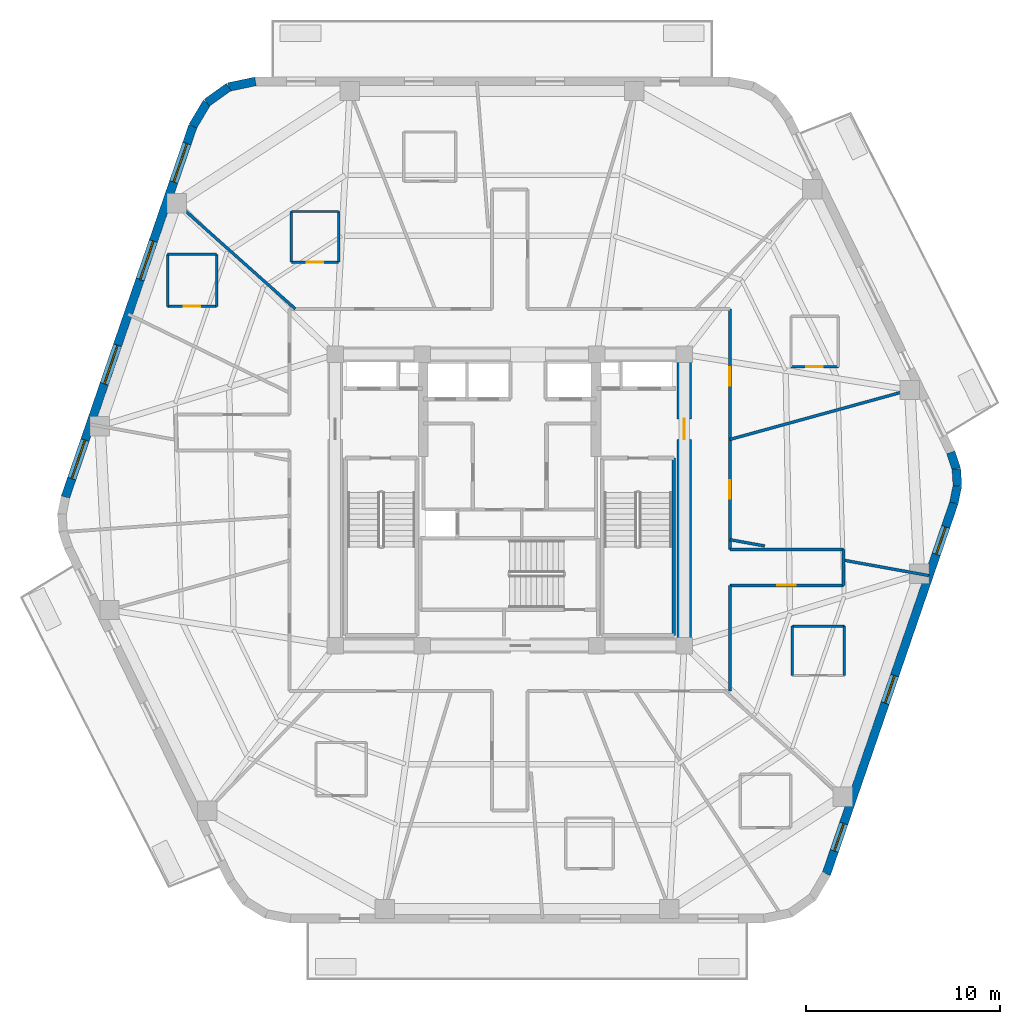
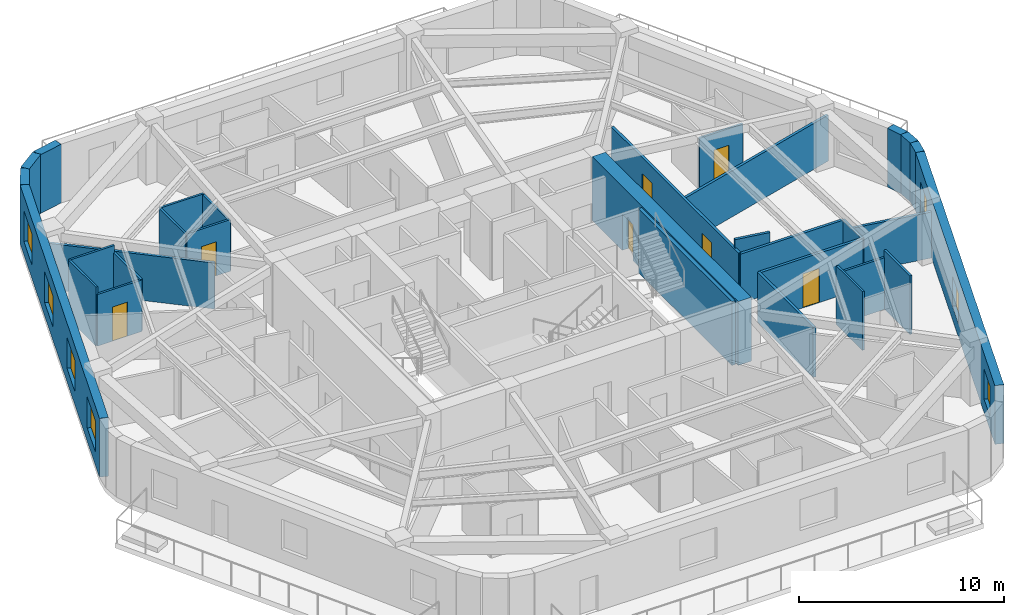
# One storey, part 5 of 10: 31 walls, 7 doors, 7 windows, 14 openings.
"""IFC4 building model written with IfcOpenShell, lengths in metres."""

import ifcopenshell
import ifcopenshell.guid

model = None  # the IFC model being written
_history = None  # IfcOwnerHistory: only IFC2X3 demands one
_inside = {}  # id of a spatial element -> (the spatial element, [elements in it])
_under = {}  # id of a project, library or spatial element -> (it, [spatial elements below it])
_declared = {}  # id of a project -> (the project, [libraries it declares])
_typed = {}  # id of a type object -> (the type object, [elements of that type])
_made_of = {}  # id of a material, layer set ... -> (it, [elements and type objects made of it])


def new_model(schema):
    """Start an empty IFC model of exactly this schema.

    Asked for "IFC4X3", IfcOpenShell would pick the latest addendum, in which some entities
    have other attributes; the version numbers below select the first issue.
    IFC2X3 requires an IfcOwnerHistory on every rooted entity: one is made here for all.
    """
    global model, _history
    if schema == "IFC4X3":
        model = ifcopenshell.file(schema_version=(4, 3, 0, 0))
    else:
        model = ifcopenshell.file(schema=schema)
    _inside.clear()
    _under.clear()
    _declared.clear()
    _typed.clear()
    _made_of.clear()
    _history = None
    if model.schema == "IFC2X3":
        org = make("IfcOrganization", Name="unknown")
        user = make(
            "IfcPersonAndOrganization",
            ThePerson=make("IfcPerson", FamilyName="unknown"),
            TheOrganization=org,
        )
        app = make(
            "IfcApplication",
            ApplicationDeveloper=org,
            Version="unknown",
            ApplicationFullName="unknown",
            ApplicationIdentifier="unknown",
        )
        _history = make(
            "IfcOwnerHistory",
            OwningUser=user,
            OwningApplication=app,
            ChangeAction="ADDED",
            CreationDate=0,
        )
    return model


def make(cls, **values):
    """One entity of the class cls with the attributes given. An attribute that is None is left unset."""
    return model.create_entity(
        cls, **{name: value for name, value in values.items() if value is not None}
    )


def rooted(cls, **values):
    """An entity with a GlobalId (a new one), such as an element, a storey or a relation."""
    return make(cls, GlobalId=ifcopenshell.guid.new(), OwnerHistory=_history, **values)


def si_unit(unit_type, name, prefix=None):
    """IfcSIUnit, for example si_unit("LENGTHUNIT", "METRE", prefix="MILLI")."""
    return make("IfcSIUnit", UnitType=unit_type, Prefix=prefix, Name=name)


def assignment(units):
    """IfcUnitAssignment: the units of a project."""
    return None if units is None else make("IfcUnitAssignment", Units=units)


def point(xyz):
    """IfcCartesianPoint."""
    return None if xyz is None else make("IfcCartesianPoint", Coordinates=xyz)


def direction(xyz):
    """IfcDirection."""
    return None if xyz is None else make("IfcDirection", DirectionRatios=xyz)


def frame(location, z_axis=None, x_axis=None):
    """IfcAxis2Placement3D, a coordinate frame: its origin and axes. An axis left out is left unset."""
    return make(
        "IfcAxis2Placement3D",
        Location=point(location),
        Axis=direction(z_axis),
        RefDirection=direction(x_axis),
    )


def frame_2d(location, x_axis=None):
    """IfcAxis2Placement2D, a coordinate frame in the plane: its origin and x axis."""
    return make(
        "IfcAxis2Placement2D", Location=point(location), RefDirection=direction(x_axis)
    )


def origin():
    """The frame at (0, 0, 0) with its axes left unset."""
    return frame((0.0, 0.0, 0.0))


def place(relative_to, where):
    """IfcLocalPlacement: puts the frame where relative to a parent placement (None: the world)."""
    return make(
        "IfcLocalPlacement", PlacementRelTo=relative_to, RelativePlacement=where
    )


def context(
    kind, dimensions, precision=None, world=None, true_north=None, identifier=None
):
    """IfcGeometricRepresentationContext, for example the 3D "Model" context."""
    return make(
        "IfcGeometricRepresentationContext",
        ContextIdentifier=identifier,
        ContextType=kind,
        CoordinateSpaceDimension=dimensions,
        Precision=precision,
        WorldCoordinateSystem=world,
        TrueNorth=true_north,
    )


def subcontext(parent, identifier, kind, view, scale=None):
    """IfcGeometricRepresentationSubContext, for example "Body" below "Model"."""
    return make(
        "IfcGeometricRepresentationSubContext",
        ContextIdentifier=identifier,
        ContextType=kind,
        ParentContext=parent,
        TargetScale=scale,
        TargetView=view,
    )


def project(units=None, contexts=None):
    """IfcProject with its units and contexts."""
    return rooted(
        "IfcProject",
        Name="project",
        RepresentationContexts=contexts,
        UnitsInContext=assignment(units),
    )


def spatial(cls, under=None, at=None, **own):
    """A site, building, storey or space (cls), placed at a placement, below another one or the project."""
    s = rooted(cls, ObjectPlacement=at, **own)
    if under is not None:
        _under.setdefault(under.id(), (under, []))[1].append(s)
    return s


def profile(cls, at=None, kind="AREA", **sizes):
    """A parametric profile (cls). Its sizes go by their IFC names, for example OverallWidth=200.0."""
    return make(cls, ProfileType=kind, Position=at, **sizes)


def rectangle(**sizes):
    """IfcRectangleProfileDef."""
    return profile("IfcRectangleProfileDef", **sizes)


def extrude(swept, where, along, depth):
    """IfcExtrudedAreaSolid: the profile swept, set in the frame where, extruded along a direction by depth."""
    return make(
        "IfcExtrudedAreaSolid",
        SweptArea=swept,
        Position=where,
        ExtrudedDirection=direction(along),
        Depth=depth,
    )


def shape(context_of_items, identifier, shape_type, items):
    """IfcShapeRepresentation: the items that make up one representation, for example the "Body"."""
    return make(
        "IfcShapeRepresentation",
        ContextOfItems=context_of_items,
        RepresentationIdentifier=identifier,
        RepresentationType=shape_type,
        Items=items,
    )


def material(Name=None, Category=None):
    """IfcMaterial."""
    return make("IfcMaterial", Name=Name, Category=Category)


def layer(
    of_material, thickness, ventilated=None, Name=None, Category=None, Priority=None
):
    """IfcMaterialLayer: one layer of a wall or slab, of a material (None: an air gap)."""
    return make(
        "IfcMaterialLayer",
        Material=of_material,
        LayerThickness=thickness,
        IsVentilated=ventilated,
        Name=Name,
        Category=Category,
        Priority=Priority,
    )


def layer_set(layers, Name=None):
    """IfcMaterialLayerSet."""
    return make("IfcMaterialLayerSet", MaterialLayers=layers, LayerSetName=Name)


def made_of(thing, what):
    """Note that an element or type object is made of a material, layer set ...; save() writes the relation."""
    if what is not None:
        _made_of.setdefault(what.id(), (what, []))[1].append(thing)
    return thing


def type_object(cls, material=None, **own):
    """A type object (cls), such as IfcWallType, which elements share."""
    return made_of(rooted(cls, **own), material)


def element(
    cls,
    number,
    at=None,
    inside=None,
    cuts=None,
    type_object=None,
    material=None,
    context=None,
    identifier="Body",
    shape_type=None,
    held_by="IfcProductDefinitionShape",
    body=None,
    shapes=None,
    **own,
):
    """One element of the class cls, such as IfcWall. Its Tag is "e" and its number.

    at: its placement. inside: the storey or other place that contains it. cuts: it is an
    opening in that element (IfcRelVoidsElement). A single representation is given by context,
    identifier, shape_type and body (its items); several are given by shapes. held_by: the class
    of the entity that holds the representations. save() writes the other relations.
    """
    e = rooted(cls, Tag="e%d" % number, ObjectPlacement=at, **own)
    if body is not None:
        shapes = [shape(context, identifier, shape_type, body)]
    if shapes is not None:
        e.Representation = make(held_by, Representations=shapes)
    if inside is not None:
        _inside.setdefault(inside.id(), (inside, []))[1].append(e)
    if cuts is not None:
        rooted(
            "IfcRelVoidsElement", RelatingBuildingElement=cuts, RelatedOpeningElement=e
        )
    if type_object is not None:
        _typed.setdefault(type_object.id(), (type_object, []))[1].append(e)
    return made_of(e, material)


def fill(opening, filler):
    """IfcRelFillsElement: the door or window that sits in an opening."""
    return rooted(
        "IfcRelFillsElement",
        RelatingOpeningElement=opening,
        RelatedBuildingElement=filler,
    )


def aggregate(whole, parts):
    """IfcRelAggregates: a whole, such as a stair, and the parts it consists of."""
    return rooted("IfcRelAggregates", RelatingObject=whole, RelatedObjects=parts)


def save(model, path):
    """Write the relations noted so far, then the file.

    IfcRelAggregates (storeys below a building ...), IfcRelContainedInSpatialStructure (elements
    in a storey), IfcRelDefinesByType, IfcRelAssociatesMaterial and IfcRelDeclares: one each for
    every whole, place, type object, material and project.
    """
    for whole, parts in _under.values():
        aggregate(whole, parts)
    for where, things in _inside.values():
        rooted(
            "IfcRelContainedInSpatialStructure",
            RelatedElements=things,
            RelatingStructure=where,
        )
    for kind, things in _typed.values():
        rooted("IfcRelDefinesByType", RelatedObjects=things, RelatingType=kind)
    for what, things in _made_of.values():
        rooted("IfcRelAssociatesMaterial", RelatedObjects=things, RelatingMaterial=what)
    for by, libraries in _declared.values():
        rooted("IfcRelDeclares", RelatingContext=by, RelatedDefinitions=libraries)
    model.write(path)


model = new_model("IFC4")

# Units and contexts
model_context = context("Model", 3, precision=1e-05, world=origin(), true_north=direction((0.0, 1.0)))
body_context = subcontext(model_context, "Body", "Model", "MODEL_VIEW")
ifc_project = project(units=[si_unit("LENGTHUNIT", "METRE"), si_unit("AREAUNIT", "SQUARE_METRE"), si_unit("VOLUMEUNIT", "CUBIC_METRE"), si_unit("PLANEANGLEUNIT", "RADIAN"), si_unit("MASSUNIT", "GRAM", prefix="KILO")], contexts=[model_context])

# Site, building, storey
site_placement = place(None, origin())
site = spatial("IfcSite", under=ifc_project, at=site_placement, CompositionType="ELEMENT")
building_placement = place(site_placement, origin())
building = spatial("IfcBuilding", under=site, at=building_placement, Name="Kilnhurst Terrace Hotel", CompositionType="ELEMENT")
storey_placement = place(building_placement, frame((0.0, 0.0, 217.89990234375)))
storey = spatial("IfcBuildingStorey", under=building, at=storey_placement, Name="L54", CompositionType="ELEMENT", Elevation=217.89990234375)

# Walls
ifc_material_1 = material(Name="Precast concrete C40/50", Category="concrete")
ifc_layer_1 = layer(ifc_material_1, 0.449951171875, Name="Precast concrete C40/50")
ifc_layer_set_1 = layer_set([ifc_layer_1], Name="Precast concrete C40/50")
wall_type_1 = type_object("IfcWallType", Name="WL-BRK-450", PredefinedType="SOLIDWALL", material=ifc_layer_set_1)
wall_1_placement = place(storey_placement, frame((22.8984375, -0.149658203125, 0.0), z_axis=(0.0, 0.0, 1.0), x_axis=(0.199055826889, 0.979988151858, 0.0)))
element("IfcWall", 1, at=wall_1_placement, inside=storey, type_object=wall_type_1, Name="L54 Rounded Corner Brick Wall C3.1", PredefinedType="SOLIDWALL", context=body_context, shape_type="SweptSolid", body=[
    extrude(rectangle(XDim=0.89404296875, YDim=0.449951171875, at=frame_2d((0.447021484375, 0.0))), origin(), (0.0, 0.0, 1.0), 3.5),
])
wall_2_placement = place(storey_placement, frame((23.076416015625, 0.7265625, 0.0), z_axis=(0.0, 0.0, 1.0), x_axis=(-0.060805222108, 0.998149650586, 0.0)))
element("IfcWall", 2, at=wall_2_placement, inside=storey, type_object=wall_type_1, Name="L54 Rounded Corner Brick Wall C3.2", PredefinedType="SOLIDWALL", context=body_context, shape_type="SweptSolid", body=[
    extrude(rectangle(XDim=0.87939453125, YDim=0.449951171875, at=frame_2d((0.439697265625, 0.0))), origin(), (0.0, 0.0, 1.0), 3.5),
])
wall_3_placement = place(storey_placement, frame((23.02294921875, 1.604248046875, 0.0), z_axis=(0.0, 0.0, 1.0), x_axis=(-0.316801227695, 0.948491951537, 0.0)))
element("IfcWall", 3, at=wall_3_placement, inside=storey, type_object=wall_type_1, Name="L54 Rounded Corner Brick Wall C3.3", PredefinedType="SOLIDWALL", context=body_context, shape_type="SweptSolid", body=[
    extrude(rectangle(XDim=0.89404296875, YDim=0.449951171875, at=frame_2d((0.447021484375, 0.0))), origin(), (0.0, 0.0, 1.0), 3.5),
])
wall_4_placement = place(storey_placement, frame((-13.1015625, 21.574951171875, 0.0), z_axis=(0.0, 0.0, 1.0), x_axis=(-0.978757421505, -0.205021730188, 0.0)))
element("IfcWall", 4, at=wall_4_placement, inside=storey, type_object=wall_type_1, Name="L54 Rounded Corner Brick Wall C5.1", PredefinedType="SOLIDWALL", context=body_context, shape_type="SweptSolid", body=[
    extrude(rectangle(XDim=1.40625, YDim=0.449951171875, at=frame_2d((0.703125, 0.0))), origin(), (0.0, 0.0, 1.0), 3.5),
])
wall_5_placement = place(storey_placement, frame((-14.47802734375, 21.28662109375, 0.0), z_axis=(0.0, 0.0, 1.0), x_axis=(-0.813888518617, -0.58102106611, 0.0)))
element("IfcWall", 5, at=wall_5_placement, inside=storey, type_object=wall_type_1, Name="L54 Rounded Corner Brick Wall C5.2", PredefinedType="SOLIDWALL", context=body_context, shape_type="SweptSolid", body=[
    extrude(rectangle(XDim=1.3828125, YDim=0.449951171875, at=frame_2d((0.69140625, 0.0))), origin(), (0.0, 0.0, 1.0), 3.5),
])
wall_6_placement = place(storey_placement, frame((-15.603515625, 20.483154296875, 0.0), z_axis=(0.0, 0.0, 1.0), x_axis=(-0.512222149036, -0.858852996756, 0.0)))
element("IfcWall", 6, at=wall_6_placement, inside=storey, type_object=wall_type_1, Name="L54 Rounded Corner Brick Wall C5.3", PredefinedType="SOLIDWALL", context=body_context, shape_type="SweptSolid", body=[
    extrude(rectangle(XDim=1.406494140625, YDim=0.449951171875, at=frame_2d((0.703125, 0.0))), origin(), (0.0, 0.0, 1.0), 3.5),
])

# Wall, openings, windows
wall_7_placement = place(storey_placement, frame((16.323974609375, -19.275146484375, 0.0), z_axis=(0.0, 0.0, 1.0), x_axis=(0.325083142304, 0.945685439557, 0.0)))
wall_7 = element("IfcWall", 7, at=wall_7_placement, inside=storey, type_object=wall_type_1, Name="L54 Exterior Brick Facade Wall F2", PredefinedType="SOLIDWALL", context=body_context, shape_type="SweptSolid", body=[
    extrude(rectangle(XDim=20.223876953125, YDim=0.449951171875, at=frame_2d((10.11181640625, 0.0))), origin(), (0.0, 0.0, 1.0), 3.5),
])
opening_1_placement = place(wall_7_placement, frame((1.2529296875, 0.0, 0.800048828125)))
opening_1 = element("IfcOpeningElement", 8, at=opening_1_placement, cuts=wall_7, Name="Opening W-02", PredefinedType="OPENING", context=body_context, shape_type="SweptSolid", body=[
    extrude(rectangle(XDim=1.5, YDim=1.800048828125, at=frame_2d((0.75, 0.89990234375))), frame((0.0, 0.23486328125, 0.0), z_axis=(0.0, -1.0, 0.0), x_axis=(1.0, 0.0, 0.0)), (0.0, 0.0, 1.0), 0.469970703125),
])
opening_2_placement = place(wall_7_placement, frame((9.30908203125, 0.0, 0.800048828125)))
opening_2 = element("IfcOpeningElement", 9, at=opening_2_placement, cuts=wall_7, Name="Opening W-02", PredefinedType="OPENING", context=body_context, shape_type="SweptSolid", body=[
    extrude(rectangle(XDim=1.5, YDim=1.800048828125, at=frame_2d((0.75, 0.89990234375))), frame((0.0, 0.23486328125, 0.0), z_axis=(0.0, -1.0, 0.0), x_axis=(1.0, 0.0, 0.0)), (0.0, 0.0, 1.0), 0.469970703125),
])
opening_3_placement = place(wall_7_placement, frame((17.41796875, 0.0, 0.800048828125)))
opening_3 = element("IfcOpeningElement", 10, at=opening_3_placement, cuts=wall_7, Name="Opening W-02", PredefinedType="OPENING", context=body_context, shape_type="SweptSolid", body=[
    extrude(rectangle(XDim=1.5, YDim=1.800048828125, at=frame_2d((0.75, 0.89990234375))), frame((0.0, 0.23486328125, 0.0), z_axis=(0.0, -1.0, 0.0), x_axis=(1.0, 0.0, 0.0)), (0.0, 0.0, 1.0), 0.469970703125),
])
ifc_material_2 = material(Name="Thermally Broken Bronze Aluminium Alloy 6063-T6 and Low-E Glass", Category="aluminium")
window_type_1 = type_object("IfcWindowType", Name="WIN-1500X1800", PartitioningType="SINGLE_PANEL", PredefinedType="WINDOW", material=ifc_material_2)
window_1_placement = place(opening_1_placement, origin())
window_1 = element("IfcWindow", 11, at=window_1_placement, inside=storey, type_object=window_type_1, Name="L54 Deep-Set Masonry Window F2.1", OverallHeight=1.800048828125, OverallWidth=1.5, PartitioningType="SINGLE_PANEL", PredefinedType="WINDOW", context=body_context, shape_type="SweptSolid", body=[
    extrude(rectangle(XDim=1.5, YDim=1.800048828125, at=frame_2d((0.75, 0.89990234375))), frame((0.0, 0.030029296875, 0.0), z_axis=(0.0, -1.0, 0.0), x_axis=(1.0, 0.0, 0.0)), (0.0, 0.0, 1.0), 0.06005859375),
])
fill(opening_1, window_1)
window_2_placement = place(opening_2_placement, origin())
window_2 = element("IfcWindow", 12, at=window_2_placement, inside=storey, type_object=window_type_1, Name="L54 Deep-Set Masonry Window F2.2", OverallHeight=1.800048828125, OverallWidth=1.5, PartitioningType="SINGLE_PANEL", PredefinedType="WINDOW", context=body_context, shape_type="SweptSolid", body=[
    extrude(rectangle(XDim=1.5, YDim=1.800048828125, at=frame_2d((0.75, 0.89990234375))), frame((0.0, 0.030029296875, 0.0), z_axis=(0.0, -1.0, 0.0), x_axis=(1.0, 0.0, 0.0)), (0.0, 0.0, 1.0), 0.06005859375),
])
fill(opening_2, window_2)
window_3_placement = place(opening_3_placement, origin())
window_3 = element("IfcWindow", 13, at=window_3_placement, inside=storey, type_object=window_type_1, Name="L54 Deep-Set Masonry Window F2.3", OverallHeight=1.800048828125, OverallWidth=1.5, PartitioningType="SINGLE_PANEL", PredefinedType="WINDOW", context=body_context, shape_type="SweptSolid", body=[
    extrude(rectangle(XDim=1.5, YDim=1.800048828125, at=frame_2d((0.75, 0.89990234375))), frame((0.0, 0.030029296875, 0.0), z_axis=(0.0, -1.0, 0.0), x_axis=(1.0, 0.0, 0.0)), (0.0, 0.0, 1.0), 0.06005859375),
])
fill(opening_3, window_3)

wall_8_placement = place(storey_placement, frame((-16.323974609375, 19.275146484375, 0.0), z_axis=(0.0, 0.0, 1.0), x_axis=(-0.325083142304, -0.945685439557, 0.0)))
wall_8 = element("IfcWall", 14, at=wall_8_placement, inside=storey, type_object=wall_type_1, Name="L54 Exterior Brick Facade Wall F5", PredefinedType="SOLIDWALL", context=body_context, shape_type="SweptSolid", body=[
    extrude(rectangle(XDim=20.223876953125, YDim=0.449951171875, at=frame_2d((10.11181640625, 0.0))), origin(), (0.0, 0.0, 1.0), 3.5),
])
opening_4_placement = place(wall_8_placement, frame((0.952880859375, 0.0, 0.800048828125)))
opening_4 = element("IfcOpeningElement", 15, at=opening_4_placement, cuts=wall_8, Name="Opening W-04", PredefinedType="OPENING", context=body_context, shape_type="SweptSolid", body=[
    extrude(rectangle(XDim=2.10009765625, YDim=1.85009765625, at=frame_2d((1.050048828125, 0.925048828125))), frame((0.0, 0.23486328125, 0.0), z_axis=(0.0, -1.0, 0.0), x_axis=(1.0, 0.0, 0.0)), (0.0, 0.0, 1.0), 0.469970703125),
])
opening_5_placement = place(wall_8_placement, frame((6.26806640625, 0.0, 0.800048828125)))
opening_5 = element("IfcOpeningElement", 16, at=opening_5_placement, cuts=wall_8, Name="Opening W-04", PredefinedType="OPENING", context=body_context, shape_type="SweptSolid", body=[
    extrude(rectangle(XDim=2.10009765625, YDim=1.85009765625, at=frame_2d((1.050048828125, 0.925048828125))), frame((0.0, 0.23486328125, 0.0), z_axis=(0.0, -1.0, 0.0), x_axis=(1.0, 0.0, 0.0)), (0.0, 0.0, 1.0), 0.469970703125),
])
opening_6_placement = place(wall_8_placement, frame((11.949951171875, 0.0, 0.800048828125)))
opening_6 = element("IfcOpeningElement", 17, at=opening_6_placement, cuts=wall_8, Name="Opening W-04", PredefinedType="OPENING", context=body_context, shape_type="SweptSolid", body=[
    extrude(rectangle(XDim=2.10009765625, YDim=1.85009765625, at=frame_2d((1.050048828125, 0.925048828125))), frame((0.0, 0.23486328125, 0.0), z_axis=(0.0, -1.0, 0.0), x_axis=(1.0, 0.0, 0.0)), (0.0, 0.0, 1.0), 0.469970703125),
])
opening_7_placement = place(wall_8_placement, frame((17.117919921875, 0.0, 0.800048828125)))
opening_7 = element("IfcOpeningElement", 18, at=opening_7_placement, cuts=wall_8, Name="Opening W-04", PredefinedType="OPENING", context=body_context, shape_type="SweptSolid", body=[
    extrude(rectangle(XDim=2.10009765625, YDim=1.85009765625, at=frame_2d((1.050048828125, 0.925048828125))), frame((0.0, 0.23486328125, 0.0), z_axis=(0.0, -1.0, 0.0), x_axis=(1.0, 0.0, 0.0)), (0.0, 0.0, 1.0), 0.469970703125),
])
window_type_2 = type_object("IfcWindowType", Name="WIN-2100X1850", PartitioningType="SINGLE_PANEL", PredefinedType="WINDOW", material=ifc_material_2)
window_4_placement = place(opening_4_placement, origin())
window_4 = element("IfcWindow", 19, at=window_4_placement, inside=storey, type_object=window_type_2, Name="L54 Deep-Set Masonry Window F5.1", OverallHeight=1.85009765625, OverallWidth=2.10009765625, PartitioningType="SINGLE_PANEL", PredefinedType="WINDOW", context=body_context, shape_type="SweptSolid", body=[
    extrude(rectangle(XDim=2.10009765625, YDim=1.85009765625, at=frame_2d((1.050048828125, 0.925048828125))), frame((0.0, 0.030029296875, 0.0), z_axis=(0.0, -1.0, 0.0), x_axis=(1.0, 0.0, 0.0)), (0.0, 0.0, 1.0), 0.06005859375),
])
fill(opening_4, window_4)
window_5_placement = place(opening_5_placement, origin())
window_5 = element("IfcWindow", 20, at=window_5_placement, inside=storey, type_object=window_type_2, Name="L54 Deep-Set Masonry Window F5.2", OverallHeight=1.85009765625, OverallWidth=2.10009765625, PartitioningType="SINGLE_PANEL", PredefinedType="WINDOW", context=body_context, shape_type="SweptSolid", body=[
    extrude(rectangle(XDim=2.10009765625, YDim=1.85009765625, at=frame_2d((1.050048828125, 0.925048828125))), frame((0.0, 0.030029296875, 0.0), z_axis=(0.0, -1.0, 0.0), x_axis=(1.0, 0.0, 0.0)), (0.0, 0.0, 1.0), 0.06005859375),
])
fill(opening_5, window_5)
window_6_placement = place(opening_6_placement, origin())
window_6 = element("IfcWindow", 21, at=window_6_placement, inside=storey, type_object=window_type_2, Name="L54 Deep-Set Masonry Window F5.3", OverallHeight=1.85009765625, OverallWidth=2.10009765625, PartitioningType="SINGLE_PANEL", PredefinedType="WINDOW", context=body_context, shape_type="SweptSolid", body=[
    extrude(rectangle(XDim=2.10009765625, YDim=1.85009765625, at=frame_2d((1.050048828125, 0.925048828125))), frame((0.0, 0.030029296875, 0.0), z_axis=(0.0, -1.0, 0.0), x_axis=(1.0, 0.0, 0.0)), (0.0, 0.0, 1.0), 0.06005859375),
])
fill(opening_6, window_6)
window_7_placement = place(opening_7_placement, origin())
window_7 = element("IfcWindow", 22, at=window_7_placement, inside=storey, type_object=window_type_2, Name="L54 Deep-Set Masonry Window F5.4", OverallHeight=1.85009765625, OverallWidth=2.10009765625, PartitioningType="SINGLE_PANEL", PredefinedType="WINDOW", context=body_context, shape_type="SweptSolid", body=[
    extrude(rectangle(XDim=2.10009765625, YDim=1.85009765625, at=frame_2d((1.050048828125, 0.925048828125))), frame((0.0, 0.030029296875, 0.0), z_axis=(0.0, -1.0, 0.0), x_axis=(1.0, 0.0, 0.0)), (0.0, 0.0, 1.0), 0.06005859375),
])
fill(opening_7, window_7)

# Wall, openings, doors
ifc_material_3 = material(Name="Acoustic Double-Gypsum Corridor Partition Assembly")
ifc_layer_2 = layer(ifc_material_3, 0.14990234375, Name="Acoustic Double-Gypsum Corridor Partition Assembly")
ifc_layer_set_2 = layer_set([ifc_layer_2], Name="Acoustic Double-Gypsum Corridor Partition Assembly")
wall_type_2 = type_object("IfcWallType", Name="WL-COR-150", PredefinedType="PARTITIONING", material=ifc_layer_set_2)
wall_9_placement = place(storey_placement, frame((11.35009765625, 9.85009765625, 0.0), z_axis=(0.0, 0.0, 1.0), x_axis=(0.0, -1.0, 0.0)))
wall_9 = element("IfcWall", 23, at=wall_9_placement, inside=storey, type_object=wall_type_2, Name="L54 Interior Wall WL-L54-COR-11", PredefinedType="PARTITIONING", context=body_context, shape_type="SweptSolid", body=[
    extrude(rectangle(XDim=12.400146484375, YDim=0.14990234375, at=frame_2d((6.2001953125, 0.0))), origin(), (0.0, 0.0, 1.0), 2.989990234375),
])
opening_8_placement = place(wall_9_placement, frame((3.010009765625, 0.0, 0.0)))
opening_8 = element("IfcOpeningElement", 24, at=opening_8_placement, cuts=wall_9, Name="Opening D-60B", PredefinedType="OPENING", context=body_context, shape_type="SweptSolid", body=[
    extrude(rectangle(XDim=0.949951171875, YDim=2.030029296875, at=frame_2d((0.47509765625, 1.01513671875))), frame((0.0, 0.0849609375, 0.0), z_axis=(0.0, -1.0, 0.0), x_axis=(1.0, 0.0, 0.0)), (0.0, 0.0, 1.0), 0.169921875),
])
opening_9_placement = place(wall_9_placement, frame((8.8349609375, 0.0, 0.0)))
opening_9 = element("IfcOpeningElement", 25, at=opening_9_placement, cuts=wall_9, Name="Opening D-60B", PredefinedType="OPENING", context=body_context, shape_type="SweptSolid", body=[
    extrude(rectangle(XDim=0.949951171875, YDim=2.030029296875, at=frame_2d((0.47509765625, 1.01513671875))), frame((0.0, 0.0849609375, 0.0), z_axis=(0.0, -1.0, 0.0), x_axis=(1.0, 0.0, 0.0)), (0.0, 0.0, 1.0), 0.169921875),
])
ifc_material_4 = material(Name="Acoustic Walnut Veneer Solid-Core Fire Door")
door_type_1 = type_object("IfcDoorType", Name="DR-FD60-950", OperationType="NOTDEFINED", PredefinedType="DOOR", material=ifc_material_4)
door_1_placement = place(opening_8_placement, origin())
door_1 = element("IfcDoor", 26, at=door_1_placement, inside=storey, type_object=door_type_1, Name="L54 Executive Suite Entry Door 1", OperationType="SINGLE_SWING_LEFT", OverallHeight=2.030029296875, OverallWidth=0.949951171875, PredefinedType="DOOR", context=body_context, shape_type="SweptSolid", body=[
    extrude(rectangle(XDim=0.949951171875, YDim=2.030029296875, at=frame_2d((0.47509765625, 1.01513671875))), frame((0.0, 0.02490234375, 0.0), z_axis=(0.0, -1.0, 0.0), x_axis=(1.0, 0.0, 0.0)), (0.0, 0.0, 1.0), 0.050048828125),
])
fill(opening_8, door_1)
door_2_placement = place(opening_9_placement, origin())
door_2 = element("IfcDoor", 27, at=door_2_placement, inside=storey, type_object=door_type_1, Name="L54 Executive Office Door", OperationType="SINGLE_SWING_LEFT", OverallHeight=2.030029296875, OverallWidth=0.949951171875, PredefinedType="DOOR", context=body_context, shape_type="SweptSolid", body=[
    extrude(rectangle(XDim=0.949951171875, YDim=2.030029296875, at=frame_2d((0.47509765625, 1.01513671875))), frame((0.0, 0.02490234375, 0.0), z_axis=(0.0, -1.0, 0.0), x_axis=(1.0, 0.0, 0.0)), (0.0, 0.0, 1.0), 0.050048828125),
])
fill(opening_9, door_2)

# Walls
wall_10_placement = place(storey_placement, frame((11.35009765625, -2.550048828125, 0.0), z_axis=(0.0, 0.0, 1.0), x_axis=(1.0, 0.0, 0.0)))
element("IfcWall", 28, at=wall_10_placement, inside=storey, type_object=wall_type_2, Name="L54 Interior Wall WL-L54-COR-12", PredefinedType="PARTITIONING", context=body_context, shape_type="SweptSolid", body=[
    extrude(rectangle(XDim=5.849853515625, YDim=0.14990234375, at=frame_2d((2.9248046875, 0.0))), origin(), (0.0, 0.0, 1.0), 2.940673828125),
])
wall_11_placement = place(storey_placement, frame((17.199951171875, -2.550048828125, 0.0), z_axis=(0.0, 0.0, 1.0), x_axis=(0.0, -1.0, 0.0)))
element("IfcWall", 29, at=wall_11_placement, inside=storey, type_object=wall_type_2, Name="L54 Interior Wall WL-L54-COR-13", PredefinedType="PARTITIONING", context=body_context, shape_type="SweptSolid", body=[
    extrude(rectangle(XDim=1.849853515625, YDim=0.14990234375, at=frame_2d((0.9248046875, 0.0))), origin(), (0.0, 0.0, 1.0), 2.940673828125),
])

# Wall, opening, door
wall_12_placement = place(storey_placement, frame((17.199951171875, -4.39990234375, 0.0), z_axis=(0.0, 0.0, 1.0), x_axis=(-1.0, 0.0, 0.0)))
wall_12 = element("IfcWall", 30, at=wall_12_placement, inside=storey, type_object=wall_type_2, Name="L54 Interior Wall WL-L54-COR-14", PredefinedType="PARTITIONING", context=body_context, shape_type="SweptSolid", body=[
    extrude(rectangle(XDim=5.849853515625, YDim=0.14990234375, at=frame_2d((2.9248046875, 0.0))), origin(), (0.0, 0.0, 1.0), 2.940673828125),
])
opening_10_placement = place(wall_12_placement, frame((2.449951171875, 0.0, 0.0)))
opening_10 = element("IfcOpeningElement", 31, at=opening_10_placement, cuts=wall_12, Name="Opening D-60B", PredefinedType="OPENING", context=body_context, shape_type="SweptSolid", body=[
    extrude(rectangle(XDim=0.949951171875, YDim=2.030029296875, at=frame_2d((0.47509765625, 1.01513671875))), frame((0.0, 0.0849609375, 0.0), z_axis=(0.0, -1.0, 0.0), x_axis=(1.0, 0.0, 0.0)), (0.0, 0.0, 1.0), 0.169921875),
])
door_3_placement = place(opening_10_placement, origin())
door_3 = element("IfcDoor", 32, at=door_3_placement, inside=storey, type_object=door_type_1, Name="L54 Executive Suite Entry Door 16", OperationType="SINGLE_SWING_RIGHT", OverallHeight=2.030029296875, OverallWidth=0.949951171875, PredefinedType="DOOR", context=body_context, shape_type="SweptSolid", body=[
    extrude(rectangle(XDim=0.949951171875, YDim=2.030029296875, at=frame_2d((0.47509765625, 1.01513671875))), frame((0.0, 0.02490234375, 0.0), z_axis=(0.0, -1.0, 0.0), x_axis=(1.0, 0.0, 0.0)), (0.0, 0.0, 1.0), 0.050048828125),
])
fill(opening_10, door_3)

# Wall
wall_13_placement = place(storey_placement, frame((11.35009765625, -4.39990234375, 0.0), z_axis=(0.0, 0.0, 1.0), x_axis=(0.0, -1.0, 0.0)))
element("IfcWall", 33, at=wall_13_placement, inside=storey, type_object=wall_type_2, Name="L54 Interior Wall WL-L54-COR-15", PredefinedType="PARTITIONING", context=body_context, shape_type="SweptSolid", body=[
    extrude(rectangle(XDim=5.4501953125, YDim=0.14990234375, at=frame_2d((2.72509765625, 0.0))), origin(), (0.0, 0.0, 1.0), 2.989990234375),
])

# Wall, opening, door
ifc_material_5 = material(Name="Concrete C60/75", Category="concrete")
ifc_layer_3 = layer(ifc_material_5, 0.75, Name="Concrete C60/75")
ifc_layer_set_3 = layer_set([ifc_layer_3], Name="Concrete C60/75")
wall_type_3 = type_object("IfcWallType", Name="WL-CORE-750", PredefinedType="SHEAR", material=ifc_layer_set_3)
wall_14_placement = place(storey_placement, frame((9.0, -7.125, 0.0), z_axis=(0.0, 0.0, 1.0), x_axis=(0.0, 1.0, 0.0)))
wall_14 = element("IfcWall", 34, at=wall_14_placement, inside=storey, type_object=wall_type_3, Name="L54 Core East Shear Wall", PredefinedType="SHEAR", context=body_context, shape_type="SweptSolid", body=[
    extrude(rectangle(XDim=14.25, YDim=0.75, at=frame_2d((7.125, 0.0))), origin(), (0.0, 0.0, 1.0), 3.800048828125),
])
opening_11_placement = place(wall_14_placement, frame((10.25, 0.0, 0.0)))
opening_11 = element("IfcOpeningElement", 35, at=opening_11_placement, cuts=wall_14, Name="Opening D-90A", PredefinedType="OPENING", context=body_context, shape_type="SweptSolid", body=[
    extrude(rectangle(XDim=1.050048828125, YDim=2.14990234375, at=frame_2d((0.52490234375, 1.074951171875))), frame((0.0, 0.385009765625, 0.0), z_axis=(0.0, -1.0, 0.0), x_axis=(1.0, 0.0, 0.0)), (0.0, 0.0, 1.0), 0.77001953125),
])
ifc_material_6 = material(Name="Painted Hollow Metal Steel ASTM A36 Fire Door", Category="steel")
door_type_2 = type_object("IfcDoorType", Name="DR-FD90-1050", OperationType="NOTDEFINED", PredefinedType="DOOR", material=ifc_material_6)
door_4_placement = place(opening_11_placement, origin())
door_4 = element("IfcDoor", 36, at=door_4_placement, inside=storey, type_object=door_type_2, Name="L54 East Firefighting Lobby Door", OperationType="SINGLE_SWING_LEFT", OverallHeight=2.14990234375, OverallWidth=1.050048828125, PredefinedType="DOOR", context=body_context, shape_type="SweptSolid", body=[
    extrude(rectangle(XDim=1.050048828125, YDim=2.14990234375, at=frame_2d((0.52490234375, 1.074951171875))), frame((0.0, 0.02490234375, 0.0), z_axis=(0.0, -1.0, 0.0), x_axis=(1.0, 0.0, 0.0)), (0.0, 0.0, 1.0), 0.050048828125),
])
fill(opening_11, door_4)

# Walls
ifc_material_7 = material(Name="STC-58 Acoustic Twin-Frame Guestroom Demising Partition")
ifc_layer_4 = layer(ifc_material_7, 0.14990234375, Name="STC-58 Acoustic Twin-Frame Guestroom Demising Partition")
ifc_layer_set_4 = layer_set([ifc_layer_4], Name="STC-58 Acoustic Twin-Frame Guestroom Demising Partition")
wall_type_4 = type_object("IfcWallType", Name="WL-DEM-150", PredefinedType="PARTITIONING", material=ifc_layer_set_4)
wall_15_placement = place(storey_placement, frame((11.35009765625, 3.12060546875, 0.0), z_axis=(0.0, 0.0, 1.0), x_axis=(0.964212793822, 0.265129568758, 0.0)))
element("IfcWall", 37, at=wall_15_placement, inside=storey, type_object=wall_type_4, Name="L54 Interior Wall WL-L54-DEM-COL01-01-1", PredefinedType="PARTITIONING", context=body_context, shape_type="SweptSolid", body=[
    extrude(rectangle(XDim=10.119873046875, YDim=0.14990234375, at=frame_2d((5.06005859375, 0.0))), origin(), (0.0, 0.0, 1.0), 2.739990234375),
])
wall_16_placement = place(storey_placement, frame((-11.04833984375, 9.85009765625, 0.0), z_axis=(0.0, 0.0, 1.0), x_axis=(-0.746444434655, 0.665447748492, 0.0)))
element("IfcWall", 38, at=wall_16_placement, inside=storey, type_object=wall_type_4, Name="L54 Interior Wall WL-L54-DEM-COL05-06-1", PredefinedType="PARTITIONING", context=body_context, shape_type="SweptSolid", body=[
    extrude(rectangle(XDim=8.732177734375, YDim=0.14990234375, at=frame_2d((4.3662109375, 0.0))), origin(), (0.0, 0.0, 1.0), 2.739990234375),
])
wall_17_placement = place(storey_placement, frame((11.35009765625, -2.046142578125, 0.0), z_axis=(0.0, 0.0, 1.0), x_axis=(0.984127783205, -0.177461281195, 0.0)))
element("IfcWall", 39, at=wall_17_placement, inside=storey, type_object=wall_type_4, Name="L54 Interior Wall WL-L54-DEM-COL12-17-1", PredefinedType="PARTITIONING", context=body_context, shape_type="SweptSolid", body=[
    extrude(rectangle(XDim=1.82568359375, YDim=0.14990234375, at=frame_2d((0.912841796875, 0.0))), origin(), (0.0, 0.0, 1.0), 3.5),
])
wall_18_placement = place(storey_placement, frame((17.199951171875, -3.1005859375, 0.0), z_axis=(0.0, 0.0, 1.0), x_axis=(0.98413465883, -0.177423147559, 0.0)))
element("IfcWall", 40, at=wall_18_placement, inside=storey, type_object=wall_type_4, Name="L54 Interior Wall WL-L54-DEM-COL12-17-2", PredefinedType="PARTITIONING", context=body_context, shape_type="SweptSolid", body=[
    extrude(rectangle(XDim=4.481689453125, YDim=0.14990234375, at=frame_2d((2.24072265625, 0.0))), origin(), (0.0, 0.0, 1.0), 2.739990234375),
])

# Wall, opening, door
ifc_material_8 = material(Name="120 mm Moisture-Resistant Tile-Backed Bathroom Partition")
ifc_layer_5 = layer(ifc_material_8, 0.1201171875, Name="120 mm Moisture-Resistant Tile-Backed Bathroom Partition")
ifc_layer_set_5 = layer_set([ifc_layer_5], Name="120 mm Moisture-Resistant Tile-Backed Bathroom Partition")
wall_type_5 = type_object("IfcWallType", Name="WL-PART-120", PredefinedType="PARTITIONING", material=ifc_layer_set_5)
wall_19_placement = place(storey_placement, frame((14.5, 6.860107421875, 0.0), z_axis=(0.0, 0.0, 1.0), x_axis=(1.0, 0.0, 0.0)))
wall_19 = element("IfcWall", 41, at=wall_19_placement, inside=storey, type_object=wall_type_5, Name="L54 Interior Wall WL-L54-BTH-01-1", PredefinedType="PARTITIONING", context=body_context, shape_type="SweptSolid", body=[
    extrude(rectangle(XDim=2.43994140625, YDim=0.1201171875, at=frame_2d((1.219970703125, 0.0))), origin(), (0.0, 0.0, 1.0), 3.026611328125),
])
opening_12_placement = place(wall_19_placement, frame((0.794921875, 0.0, 0.0)))
opening_12 = element("IfcOpeningElement", 42, at=opening_12_placement, cuts=wall_19, Name="Opening D-08A", PredefinedType="OPENING", context=body_context, shape_type="SweptSolid", body=[
    extrude(rectangle(XDim=0.85009765625, YDim=2.030029296875, at=frame_2d((0.425048828125, 1.01513671875))), frame((0.0, 0.070068359375, 0.0), z_axis=(0.0, -1.0, 0.0), x_axis=(1.0, 0.0, 0.0)), (0.0, 0.0, 1.0), 0.14013671875),
])
ifc_material_9 = material(Name="Moisture-Resistant Lacquered En-suite Bathroom Door")
door_type_3 = type_object("IfcDoorType", Name="DR-INT-850", OperationType="NOTDEFINED", PredefinedType="DOOR", material=ifc_material_9)
door_5_placement = place(opening_12_placement, origin())
door_5 = element("IfcDoor", 43, at=door_5_placement, inside=storey, type_object=door_type_3, Name="L54 En-suite Bathroom Door 1", OperationType="SINGLE_SWING_RIGHT", OverallHeight=2.030029296875, OverallWidth=0.85009765625, PredefinedType="DOOR", context=body_context, shape_type="SweptSolid", body=[
    extrude(rectangle(XDim=0.85009765625, YDim=2.030029296875, at=frame_2d((0.425048828125, 1.01513671875))), frame((0.0, 0.02490234375, 0.0), z_axis=(0.0, -1.0, 0.0), x_axis=(1.0, 0.0, 0.0)), (0.0, 0.0, 1.0), 0.050048828125),
])
fill(opening_12, door_5)

wall_20_placement = place(storey_placement, frame((-11.251953125, 12.260009765625, 0.0), z_axis=(0.0, 0.0, 1.0), x_axis=(1.0, 0.0, 0.0)))
wall_20 = element("IfcWall", 44, at=wall_20_placement, inside=storey, type_object=wall_type_5, Name="L54 Interior Wall WL-L54-BTH-05-1", PredefinedType="PARTITIONING", context=body_context, shape_type="SweptSolid", body=[
    extrude(rectangle(XDim=2.43994140625, YDim=0.1201171875, at=frame_2d((1.219970703125, 0.0))), origin(), (0.0, 0.0, 1.0), 3.072509765625),
])
opening_13_placement = place(wall_20_placement, frame((0.794921875, 0.0, 0.0)))
opening_13 = element("IfcOpeningElement", 45, at=opening_13_placement, cuts=wall_20, Name="Opening D-08A", PredefinedType="OPENING", context=body_context, shape_type="SweptSolid", body=[
    extrude(rectangle(XDim=0.85009765625, YDim=2.030029296875, at=frame_2d((0.425048828125, 1.01513671875))), frame((0.0, 0.070068359375, 0.0), z_axis=(0.0, -1.0, 0.0), x_axis=(1.0, 0.0, 0.0)), (0.0, 0.0, 1.0), 0.14013671875),
])
door_6_placement = place(opening_13_placement, origin())
door_6 = element("IfcDoor", 46, at=door_6_placement, inside=storey, type_object=door_type_3, Name="L54 En-suite Bathroom Door 5", OperationType="SINGLE_SWING_RIGHT", OverallHeight=2.030029296875, OverallWidth=0.85009765625, PredefinedType="DOOR", context=body_context, shape_type="SweptSolid", body=[
    extrude(rectangle(XDim=0.85009765625, YDim=2.030029296875, at=frame_2d((0.425048828125, 1.01513671875))), frame((0.0, 0.02490234375, 0.0), z_axis=(0.0, -1.0, 0.0), x_axis=(1.0, 0.0, 0.0)), (0.0, 0.0, 1.0), 0.050048828125),
])
fill(opening_13, door_6)

# Walls
wall_21_placement = place(storey_placement, frame((-8.81201171875, 12.260009765625, 0.0), z_axis=(0.0, 0.0, 1.0), x_axis=(0.0, 1.0, 0.0)))
element("IfcWall", 47, at=wall_21_placement, inside=storey, type_object=wall_type_5, Name="L54 Interior Wall WL-L54-BTH-05-2", PredefinedType="PARTITIONING", context=body_context, shape_type="SweptSolid", body=[
    extrude(rectangle(XDim=2.610107421875, YDim=0.1201171875, at=frame_2d((1.30517578125, 0.0))), origin(), (0.0, 0.0, 1.0), 2.989990234375),
])
wall_22_placement = place(storey_placement, frame((-8.81201171875, 14.8701171875, 0.0), z_axis=(0.0, 0.0, 1.0), x_axis=(-1.0, 0.0, 0.0)))
element("IfcWall", 48, at=wall_22_placement, inside=storey, type_object=wall_type_5, Name="L54 Interior Wall WL-L54-BTH-05-3", PredefinedType="PARTITIONING", context=body_context, shape_type="SweptSolid", body=[
    extrude(rectangle(XDim=2.43994140625, YDim=0.1201171875, at=frame_2d((1.219970703125, 0.0))), origin(), (0.0, 0.0, 1.0), 3.026611328125),
])
wall_23_placement = place(storey_placement, frame((-11.251953125, 14.8701171875, 0.0), z_axis=(0.0, 0.0, 1.0), x_axis=(0.0, -1.0, 0.0)))
element("IfcWall", 49, at=wall_23_placement, inside=storey, type_object=wall_type_5, Name="L54 Interior Wall WL-L54-BTH-05-4", PredefinedType="PARTITIONING", context=body_context, shape_type="SweptSolid", body=[
    extrude(rectangle(XDim=2.610107421875, YDim=0.1201171875, at=frame_2d((1.30517578125, 0.0))), origin(), (0.0, 0.0, 1.0), 3.026611328125),
])

# Wall, opening, door
wall_24_placement = place(storey_placement, frame((-17.6240234375, 9.97900390625, 0.0), z_axis=(0.0, 0.0, 1.0), x_axis=(1.0, 0.0, 0.0)))
wall_24 = element("IfcWall", 50, at=wall_24_placement, inside=storey, type_object=wall_type_5, Name="L54 Interior Wall WL-L54-BTH-06-1", PredefinedType="PARTITIONING", context=body_context, shape_type="SweptSolid", body=[
    extrude(rectangle(XDim=2.52001953125, YDim=0.1201171875, at=frame_2d((1.260009765625, 0.0))), origin(), (0.0, 0.0, 1.0), 3.072509765625),
])
opening_14_placement = place(wall_24_placement, frame((0.8349609375, 0.0, 0.0)))
opening_14 = element("IfcOpeningElement", 51, at=opening_14_placement, cuts=wall_24, Name="Opening D-08A", PredefinedType="OPENING", context=body_context, shape_type="SweptSolid", body=[
    extrude(rectangle(XDim=0.85009765625, YDim=2.030029296875, at=frame_2d((0.425048828125, 1.01513671875))), frame((0.0, 0.070068359375, 0.0), z_axis=(0.0, -1.0, 0.0), x_axis=(1.0, 0.0, 0.0)), (0.0, 0.0, 1.0), 0.14013671875),
])
door_7_placement = place(opening_14_placement, origin())
door_7 = element("IfcDoor", 52, at=door_7_placement, inside=storey, type_object=door_type_3, Name="L54 En-suite Bathroom Door 6", OperationType="SINGLE_SWING_LEFT", OverallHeight=2.030029296875, OverallWidth=0.85009765625, PredefinedType="DOOR", context=body_context, shape_type="SweptSolid", body=[
    extrude(rectangle(XDim=0.85009765625, YDim=2.030029296875, at=frame_2d((0.425048828125, 1.01513671875))), frame((0.0, 0.02490234375, 0.0), z_axis=(0.0, -1.0, 0.0), x_axis=(1.0, 0.0, 0.0)), (0.0, 0.0, 1.0), 0.050048828125),
])
fill(opening_14, door_7)

# Walls
wall_25_placement = place(storey_placement, frame((-15.10400390625, 9.97900390625, 0.0), z_axis=(0.0, 0.0, 1.0), x_axis=(0.0, 1.0, 0.0)))
element("IfcWall", 53, at=wall_25_placement, inside=storey, type_object=wall_type_5, Name="L54 Interior Wall WL-L54-BTH-06-2", PredefinedType="PARTITIONING", context=body_context, shape_type="SweptSolid", body=[
    extrude(rectangle(XDim=2.679931640625, YDim=0.1201171875, at=frame_2d((1.33984375, 0.0))), origin(), (0.0, 0.0, 1.0), 3.072509765625),
])
wall_26_placement = place(storey_placement, frame((-15.10400390625, 12.658935546875, 0.0), z_axis=(0.0, 0.0, 1.0), x_axis=(-1.0, 0.0, 0.0)))
element("IfcWall", 54, at=wall_26_placement, inside=storey, type_object=wall_type_5, Name="L54 Interior Wall WL-L54-BTH-06-3", PredefinedType="PARTITIONING", context=body_context, shape_type="SweptSolid", body=[
    extrude(rectangle(XDim=2.52001953125, YDim=0.1201171875, at=frame_2d((1.260009765625, 0.0))), origin(), (0.0, 0.0, 1.0), 3.5),
])
wall_27_placement = place(storey_placement, frame((-17.6240234375, 12.658935546875, 0.0), z_axis=(0.0, 0.0, 1.0), x_axis=(0.0, -1.0, 0.0)))
element("IfcWall", 55, at=wall_27_placement, inside=storey, type_object=wall_type_5, Name="L54 Interior Wall WL-L54-BTH-06-4", PredefinedType="PARTITIONING", context=body_context, shape_type="SweptSolid", body=[
    extrude(rectangle(XDim=2.679931640625, YDim=0.1201171875, at=frame_2d((1.33984375, 0.0))), origin(), (0.0, 0.0, 1.0), 3.5),
])
wall_28_placement = place(storey_placement, frame((17.248046875, -9.044921875, 0.0), z_axis=(0.0, 0.0, 1.0), x_axis=(0.0, 1.0, 0.0)))
element("IfcWall", 56, at=wall_28_placement, inside=storey, type_object=wall_type_5, Name="L54 Interior Wall WL-L54-BTH-16-2", PredefinedType="PARTITIONING", context=body_context, shape_type="SweptSolid", body=[
    extrude(rectangle(XDim=2.5400390625, YDim=0.1201171875, at=frame_2d((1.27001953125, 0.0))), origin(), (0.0, 0.0, 1.0), 3.5),
])
wall_29_placement = place(storey_placement, frame((17.248046875, -6.5048828125, 0.0), z_axis=(0.0, 0.0, 1.0), x_axis=(-1.0, 0.0, 0.0)))
element("IfcWall", 57, at=wall_29_placement, inside=storey, type_object=wall_type_5, Name="L54 Interior Wall WL-L54-BTH-16-3", PredefinedType="PARTITIONING", context=body_context, shape_type="SweptSolid", body=[
    extrude(rectangle(XDim=2.679931640625, YDim=0.1201171875, at=frame_2d((1.33984375, 0.0))), origin(), (0.0, 0.0, 1.0), 3.072509765625),
])
wall_30_placement = place(storey_placement, frame((14.568115234375, -6.5048828125, 0.0), z_axis=(0.0, 0.0, 1.0), x_axis=(0.0, -1.0, 0.0)))
element("IfcWall", 58, at=wall_30_placement, inside=storey, type_object=wall_type_5, Name="L54 Interior Wall WL-L54-BTH-16-4", PredefinedType="PARTITIONING", context=body_context, shape_type="SweptSolid", body=[
    extrude(rectangle(XDim=2.5400390625, YDim=0.1201171875, at=frame_2d((1.27001953125, 0.0))), origin(), (0.0, 0.0, 1.0), 3.5),
])
ifc_material_10 = material(Name="Concrete C50/60", Category="concrete")
ifc_layer_6 = layer(ifc_material_10, 0.199951171875, Name="Concrete C50/60")
ifc_layer_set_6 = layer_set([ifc_layer_6], Name="Concrete C50/60")
wall_type_6 = type_object("IfcWallType", Name="WL-STAIR-RC-200", PredefinedType="SHEAR", material=ifc_layer_set_6)
wall_31_placement = place(storey_placement, frame((8.4580078125, -6.985107421875, 0.0), z_axis=(0.0, 0.0, 1.0), x_axis=(0.0, 1.0, 0.0)))
element("IfcWall", 59, at=wall_31_placement, inside=storey, type_object=wall_type_6, Name="L54 Structural Stair Shaft Wall WL-L54-ST2-E", PredefinedType="SHEAR", context=body_context, shape_type="SweptSolid", body=[
    extrude(rectangle(XDim=9.14306640625, YDim=0.199951171875, at=frame_2d((4.571533203125, 0.0))), origin(), (0.0, 0.0, 1.0), 3.800048828125),
])

save(model, "model.ifc")
